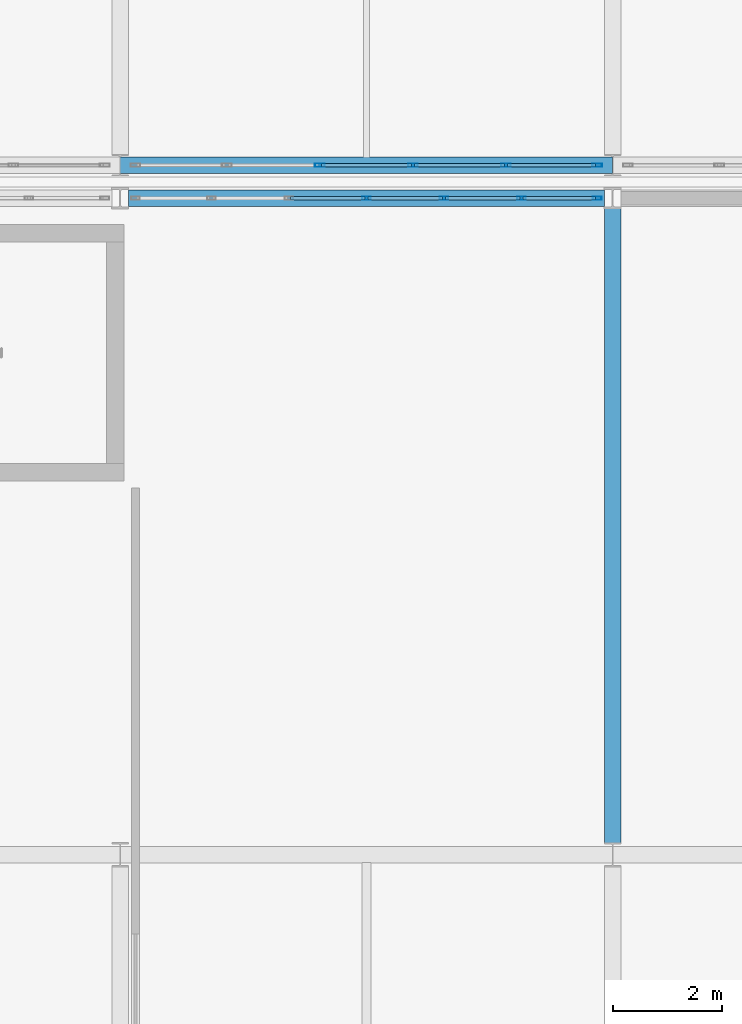
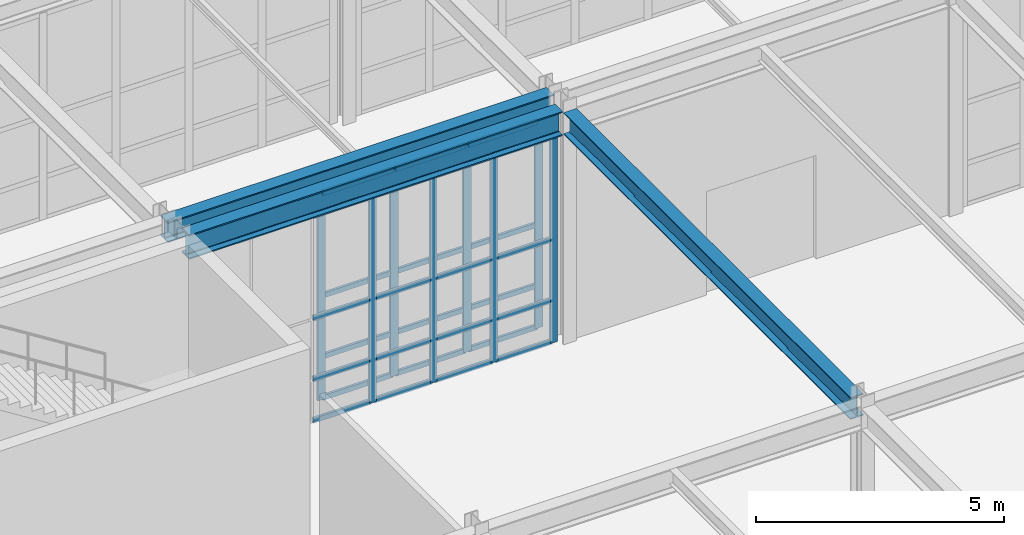
# One storey, part 41 of 146: 36 members, 3 beams, 2 elements without a shape of their own.
"""IFC4 building model written with IfcOpenShell, lengths in metres."""

from ifc_helpers import new_model, si_unit, direction, frame, origin, origin_2d, place, context, subcontext, project, spatial, hollow_rectangle, i_section, extrude, material, material_profile, profile_set, type_object, element, aggregate, save


model = new_model("IFC4")

# Units and contexts
model_context = context("Model", 3, precision=1e-05, world=origin(), true_north=direction((0.0, 1.0)))
body_context = subcontext(model_context, "Body", "Model", "MODEL_VIEW")
ifc_project = project(units=[si_unit("LENGTHUNIT", "METRE"), si_unit("AREAUNIT", "SQUARE_METRE"), si_unit("VOLUMEUNIT", "CUBIC_METRE"), si_unit("PLANEANGLEUNIT", "RADIAN"), si_unit("MASSUNIT", "GRAM", prefix="KILO")], contexts=[model_context])

# Site, building, storey
site_placement = place(None, origin())
site = spatial("IfcSite", under=ifc_project, at=site_placement, CompositionType="ELEMENT")
building_placement = place(site_placement, origin())
building = spatial("IfcBuilding", under=site, at=building_placement, Name="Kaldris Quays Convention Centre", CompositionType="ELEMENT")
storey_placement = place(building_placement, origin())
storey = spatial("IfcBuildingStorey", under=building, at=storey_placement, Name="L00", CompositionType="ELEMENT", Elevation=0.0)

# Curtain wall, members
ifc_material_1 = material(Name="Anodized aluminium AW-6060 and triple glazing", Category="aluminium")
curtain_wall_type_1 = type_object("IfcCurtainWallType", Name="UNITISED CURTAIN WALL CW01", PredefinedType="NOTDEFINED", material=ifc_material_1)
curtain_wall_1_placement = place(storey_placement, origin())
curtain_wall_1 = element("IfcCurtainWall", 1, at=curtain_wall_1_placement, inside=storey, type_object=curtain_wall_type_1, Name="L00 Unitised Curtain Wall CW01 48", PredefinedType="NOTDEFINED")
ifc_material_2 = material(Name="Anodized aluminium AW-6060", Category="aluminium")
ifc_material_profile_1 = material_profile(ifc_material_2, hollow_rectangle(XDim=0.06005859375, YDim=0.159912109375, WallThickness=0.00390625, at=origin_2d()), Name="RHS 160x60x4")
ifc_profile_set_1 = profile_set([ifc_material_profile_1], Name="Anodized aluminium AW-6060")
member_type_1 = type_object("IfcMemberType", Name="CURTAIN MULLION CWM1", PredefinedType="MULLION", material=ifc_profile_set_1)
member_1_placement = place(storey_placement, frame((60.5, 46.0, 0.0), z_axis=(0.0, 0.0, 1.0), x_axis=(0.0, 1.0, 0.0)))
member_1 = element("IfcMember", 2, at=member_1_placement, type_object=member_type_1, Name="CW01 mullion 4", PredefinedType="MULLION", context=body_context, shape_type="SweptSolid", body=[
    extrude(hollow_rectangle(XDim=0.06005859375, YDim=0.159912109375, WallThickness=0.00390625, at=origin_2d()), origin(), (0.0, 0.0, 1.0), 5.097900390625),
])
member_2_placement = place(storey_placement, frame((61.916748046875, 46.0, 0.0), z_axis=(0.0, 0.0, 1.0), x_axis=(0.0, 1.0, 0.0)))
member_2 = element("IfcMember", 3, at=member_2_placement, type_object=member_type_1, Name="CW01 mullion 5", PredefinedType="MULLION", context=body_context, shape_type="SweptSolid", body=[
    extrude(hollow_rectangle(XDim=0.06005859375, YDim=0.159912109375, WallThickness=0.00390625, at=origin_2d()), origin(), (0.0, 0.0, 1.0), 5.097900390625),
])
member_3_placement = place(storey_placement, frame((63.333251953125, 46.0, 0.0), z_axis=(0.0, 0.0, 1.0), x_axis=(0.0, 1.0, 0.0)))
member_3 = element("IfcMember", 4, at=member_3_placement, type_object=member_type_1, Name="CW01 mullion 6", PredefinedType="MULLION", context=body_context, shape_type="SweptSolid", body=[
    extrude(hollow_rectangle(XDim=0.06005859375, YDim=0.159912109375, WallThickness=0.00390625, at=origin_2d()), origin(), (0.0, 0.0, 1.0), 5.097900390625),
])
member_4_placement = place(storey_placement, frame((64.719970703125, 46.0, 0.0), z_axis=(0.0, 0.0, 1.0), x_axis=(0.0, 1.0, 0.0)))
member_4 = element("IfcMember", 5, at=member_4_placement, type_object=member_type_1, Name="CW01 mullion 7", PredefinedType="MULLION", context=body_context, shape_type="SweptSolid", body=[
    extrude(hollow_rectangle(XDim=0.06005859375, YDim=0.159912109375, WallThickness=0.00390625, at=origin_2d()), origin(), (0.0, 0.0, 1.0), 5.097900390625),
])

curtain_wall_type_2 = type_object("IfcCurtainWallType", Name="UNITISED CURTAIN WALL CW02", PredefinedType="NOTDEFINED", material=ifc_material_1)
curtain_wall_2_placement = place(storey_placement, origin())
curtain_wall_2 = element("IfcCurtainWall", 6, at=curtain_wall_2_placement, inside=storey, type_object=curtain_wall_type_2, Name="L00 Unitised Curtain Wall CW02 84", PredefinedType="NOTDEFINED")
ifc_material_profile_2 = material_profile(ifc_material_2, hollow_rectangle(XDim=0.06005859375, YDim=0.179931640625, WallThickness=0.0048828125, at=origin_2d()), Name="RHS 180x60x5")
ifc_profile_set_2 = profile_set([ifc_material_profile_2], Name="Anodized aluminium AW-6060")
member_type_2 = type_object("IfcMemberType", Name="CURTAIN MULLION CWM2", PredefinedType="MULLION", material=ifc_profile_set_2)
member_5_placement = place(storey_placement, frame((59.64990234375, 46.60009765625, 0.0), z_axis=(0.0, 0.0, 1.0), x_axis=(0.0, 1.0, 0.0)))
member_5 = element("IfcMember", 7, at=member_5_placement, type_object=member_type_2, Name="CW02 mullion 3", PredefinedType="MULLION", context=body_context, shape_type="SweptSolid", body=[
    extrude(hollow_rectangle(XDim=0.06005859375, YDim=0.179931640625, WallThickness=0.0048828125, at=origin_2d()), origin(), (0.0, 0.0, 1.0), 5.10009765625),
])
member_6_placement = place(storey_placement, frame((61.35009765625, 46.60009765625, 0.0), z_axis=(0.0, 0.0, 1.0), x_axis=(0.0, 1.0, 0.0)))
member_6 = element("IfcMember", 8, at=member_6_placement, type_object=member_type_2, Name="CW02 mullion 4", PredefinedType="MULLION", context=body_context, shape_type="SweptSolid", body=[
    extrude(hollow_rectangle(XDim=0.06005859375, YDim=0.179931640625, WallThickness=0.0048828125, at=origin_2d()), origin(), (0.0, 0.0, 1.0), 5.10009765625),
])
member_7_placement = place(storey_placement, frame((63.050048828125, 46.60009765625, 0.0), z_axis=(0.0, 0.0, 1.0), x_axis=(0.0, 1.0, 0.0)))
member_7 = element("IfcMember", 9, at=member_7_placement, type_object=member_type_2, Name="CW02 mullion 5", PredefinedType="MULLION", context=body_context, shape_type="SweptSolid", body=[
    extrude(hollow_rectangle(XDim=0.06005859375, YDim=0.179931640625, WallThickness=0.0048828125, at=origin_2d()), origin(), (0.0, 0.0, 1.0), 5.10009765625),
])
member_8_placement = place(storey_placement, frame((64.719970703125, 46.60009765625, 0.0), z_axis=(0.0, 0.0, 1.0), x_axis=(0.0, 1.0, 0.0)))
member_8 = element("IfcMember", 10, at=member_8_placement, type_object=member_type_2, Name="CW02 mullion 6", PredefinedType="MULLION", context=body_context, shape_type="SweptSolid", body=[
    extrude(hollow_rectangle(XDim=0.06005859375, YDim=0.179931640625, WallThickness=0.0048828125, at=origin_2d()), origin(), (0.0, 0.0, 1.0), 5.10009765625),
])

# Member
ifc_material_profile_3 = material_profile(ifc_material_2, hollow_rectangle(XDim=0.06005859375, YDim=0.1201171875, WallThickness=0.00390625, at=origin_2d()), Name="RHS 120x60x4")
ifc_profile_set_3 = profile_set([ifc_material_profile_3], Name="Anodized aluminium AW-6060")
member_type_3 = type_object("IfcMemberType", Name="CURTAIN TRANSOM CWT1", PredefinedType="USERDEFINED", material=ifc_profile_set_3)
member_9_placement = place(storey_placement, frame((59.11328125, 46.0, 0.030029296875), z_axis=(1.0, 0.0, 0.0), x_axis=(0.0, 1.0, 0.0)))
member_9 = element("IfcMember", 11, at=member_9_placement, type_object=member_type_3, Name="CW01 transom 3.1", ObjectType="TRANSOM", PredefinedType="USERDEFINED", context=body_context, shape_type="SweptSolid", body=[
    extrude(hollow_rectangle(XDim=0.06005859375, YDim=0.1201171875, WallThickness=0.00390625, at=origin_2d()), origin(), (0.0, 0.0, 1.0), 1.356689453125),
])

member_10_placement = place(storey_placement, frame((59.11328125, 46.0, 1.050048828125), z_axis=(1.0, 0.0, 0.0), x_axis=(0.0, 1.0, 0.0)))
member_10 = element("IfcMember", 12, at=member_10_placement, type_object=member_type_3, Name="CW01 transom 3.2", ObjectType="TRANSOM", PredefinedType="USERDEFINED", context=body_context, shape_type="SweptSolid", body=[
    extrude(hollow_rectangle(XDim=0.06005859375, YDim=0.1201171875, WallThickness=0.00390625, at=origin_2d()), origin(), (0.0, 0.0, 1.0), 1.356689453125),
])

member_11_placement = place(storey_placement, frame((59.11328125, 46.0, 2.549072265625), z_axis=(1.0, 0.0, 0.0), x_axis=(0.0, 1.0, 0.0)))
member_11 = element("IfcMember", 13, at=member_11_placement, type_object=member_type_3, Name="CW01 transom 3.3", ObjectType="TRANSOM", PredefinedType="USERDEFINED", context=body_context, shape_type="SweptSolid", body=[
    extrude(hollow_rectangle(XDim=0.06005859375, YDim=0.1201171875, WallThickness=0.00390625, at=origin_2d()), origin(), (0.0, 0.0, 1.0), 1.356689453125),
])

member_12_placement = place(storey_placement, frame((59.11328125, 46.0, 5.068115234375), z_axis=(1.0, 0.0, 0.0), x_axis=(0.0, 1.0, 0.0)))
member_12 = element("IfcMember", 14, at=member_12_placement, type_object=member_type_3, Name="CW01 transom 3.4", ObjectType="TRANSOM", PredefinedType="USERDEFINED", context=body_context, shape_type="SweptSolid", body=[
    extrude(hollow_rectangle(XDim=0.06005859375, YDim=0.1201171875, WallThickness=0.00390625, at=origin_2d()), origin(), (0.0, 0.0, 1.0), 1.356689453125),
])

member_13_placement = place(storey_placement, frame((60.530029296875, 46.0, 0.030029296875), z_axis=(1.0, 0.0, 0.0), x_axis=(0.0, 1.0, 0.0)))
member_13 = element("IfcMember", 15, at=member_13_placement, type_object=member_type_3, Name="CW01 transom 4.1", ObjectType="TRANSOM", PredefinedType="USERDEFINED", context=body_context, shape_type="SweptSolid", body=[
    extrude(hollow_rectangle(XDim=0.06005859375, YDim=0.1201171875, WallThickness=0.00390625, at=origin_2d()), origin(), (0.0, 0.0, 1.0), 1.356689453125),
])

member_14_placement = place(storey_placement, frame((60.530029296875, 46.0, 1.050048828125), z_axis=(1.0, 0.0, 0.0), x_axis=(0.0, 1.0, 0.0)))
member_14 = element("IfcMember", 16, at=member_14_placement, type_object=member_type_3, Name="CW01 transom 4.2", ObjectType="TRANSOM", PredefinedType="USERDEFINED", context=body_context, shape_type="SweptSolid", body=[
    extrude(hollow_rectangle(XDim=0.06005859375, YDim=0.1201171875, WallThickness=0.00390625, at=origin_2d()), origin(), (0.0, 0.0, 1.0), 1.356689453125),
])

member_15_placement = place(storey_placement, frame((60.530029296875, 46.0, 2.549072265625), z_axis=(1.0, 0.0, 0.0), x_axis=(0.0, 1.0, 0.0)))
member_15 = element("IfcMember", 17, at=member_15_placement, type_object=member_type_3, Name="CW01 transom 4.3", ObjectType="TRANSOM", PredefinedType="USERDEFINED", context=body_context, shape_type="SweptSolid", body=[
    extrude(hollow_rectangle(XDim=0.06005859375, YDim=0.1201171875, WallThickness=0.00390625, at=origin_2d()), origin(), (0.0, 0.0, 1.0), 1.356689453125),
])

member_16_placement = place(storey_placement, frame((60.530029296875, 46.0, 5.068115234375), z_axis=(1.0, 0.0, 0.0), x_axis=(0.0, 1.0, 0.0)))
member_16 = element("IfcMember", 18, at=member_16_placement, type_object=member_type_3, Name="CW01 transom 4.4", ObjectType="TRANSOM", PredefinedType="USERDEFINED", context=body_context, shape_type="SweptSolid", body=[
    extrude(hollow_rectangle(XDim=0.06005859375, YDim=0.1201171875, WallThickness=0.00390625, at=origin_2d()), origin(), (0.0, 0.0, 1.0), 1.356689453125),
])

member_17_placement = place(storey_placement, frame((61.94677734375, 46.0, 0.030029296875), z_axis=(1.0, 0.0, 0.0), x_axis=(0.0, 1.0, 0.0)))
member_17 = element("IfcMember", 19, at=member_17_placement, type_object=member_type_3, Name="CW01 transom 5.1", ObjectType="TRANSOM", PredefinedType="USERDEFINED", context=body_context, shape_type="SweptSolid", body=[
    extrude(hollow_rectangle(XDim=0.06005859375, YDim=0.1201171875, WallThickness=0.00390625, at=origin_2d()), origin(), (0.0, 0.0, 1.0), 1.3564453125),
])

member_18_placement = place(storey_placement, frame((61.94677734375, 46.0, 1.050048828125), z_axis=(1.0, 0.0, 0.0), x_axis=(0.0, 1.0, 0.0)))
member_18 = element("IfcMember", 20, at=member_18_placement, type_object=member_type_3, Name="CW01 transom 5.2", ObjectType="TRANSOM", PredefinedType="USERDEFINED", context=body_context, shape_type="SweptSolid", body=[
    extrude(hollow_rectangle(XDim=0.06005859375, YDim=0.1201171875, WallThickness=0.00390625, at=origin_2d()), origin(), (0.0, 0.0, 1.0), 1.3564453125),
])

member_19_placement = place(storey_placement, frame((61.94677734375, 46.0, 2.549072265625), z_axis=(1.0, 0.0, 0.0), x_axis=(0.0, 1.0, 0.0)))
member_19 = element("IfcMember", 21, at=member_19_placement, type_object=member_type_3, Name="CW01 transom 5.3", ObjectType="TRANSOM", PredefinedType="USERDEFINED", context=body_context, shape_type="SweptSolid", body=[
    extrude(hollow_rectangle(XDim=0.06005859375, YDim=0.1201171875, WallThickness=0.00390625, at=origin_2d()), origin(), (0.0, 0.0, 1.0), 1.3564453125),
])

member_20_placement = place(storey_placement, frame((61.94677734375, 46.0, 5.068115234375), z_axis=(1.0, 0.0, 0.0), x_axis=(0.0, 1.0, 0.0)))
member_20 = element("IfcMember", 22, at=member_20_placement, type_object=member_type_3, Name="CW01 transom 5.4", ObjectType="TRANSOM", PredefinedType="USERDEFINED", context=body_context, shape_type="SweptSolid", body=[
    extrude(hollow_rectangle(XDim=0.06005859375, YDim=0.1201171875, WallThickness=0.00390625, at=origin_2d()), origin(), (0.0, 0.0, 1.0), 1.3564453125),
])

member_21_placement = place(storey_placement, frame((63.36328125, 46.0, 0.030029296875), z_axis=(1.0, 0.0, 0.0), x_axis=(0.0, 1.0, 0.0)))
member_21 = element("IfcMember", 23, at=member_21_placement, type_object=member_type_3, Name="CW01 transom 6.1", ObjectType="TRANSOM", PredefinedType="USERDEFINED", context=body_context, shape_type="SweptSolid", body=[
    extrude(hollow_rectangle(XDim=0.06005859375, YDim=0.1201171875, WallThickness=0.00390625, at=origin_2d()), origin(), (0.0, 0.0, 1.0), 1.32666015625),
])

member_22_placement = place(storey_placement, frame((63.36328125, 46.0, 1.050048828125), z_axis=(1.0, 0.0, 0.0), x_axis=(0.0, 1.0, 0.0)))
member_22 = element("IfcMember", 24, at=member_22_placement, type_object=member_type_3, Name="CW01 transom 6.2", ObjectType="TRANSOM", PredefinedType="USERDEFINED", context=body_context, shape_type="SweptSolid", body=[
    extrude(hollow_rectangle(XDim=0.06005859375, YDim=0.1201171875, WallThickness=0.00390625, at=origin_2d()), origin(), (0.0, 0.0, 1.0), 1.32666015625),
])

member_23_placement = place(storey_placement, frame((63.36328125, 46.0, 2.549072265625), z_axis=(1.0, 0.0, 0.0), x_axis=(0.0, 1.0, 0.0)))
member_23 = element("IfcMember", 25, at=member_23_placement, type_object=member_type_3, Name="CW01 transom 6.3", ObjectType="TRANSOM", PredefinedType="USERDEFINED", context=body_context, shape_type="SweptSolid", body=[
    extrude(hollow_rectangle(XDim=0.06005859375, YDim=0.1201171875, WallThickness=0.00390625, at=origin_2d()), origin(), (0.0, 0.0, 1.0), 1.32666015625),
])

member_24_placement = place(storey_placement, frame((63.36328125, 46.0, 5.068115234375), z_axis=(1.0, 0.0, 0.0), x_axis=(0.0, 1.0, 0.0)))
member_24 = element("IfcMember", 26, at=member_24_placement, type_object=member_type_3, Name="CW01 transom 6.4", ObjectType="TRANSOM", PredefinedType="USERDEFINED", context=body_context, shape_type="SweptSolid", body=[
    extrude(hollow_rectangle(XDim=0.06005859375, YDim=0.1201171875, WallThickness=0.00390625, at=origin_2d()), origin(), (0.0, 0.0, 1.0), 1.32666015625),
])

aggregate(curtain_wall_1, [member_1, member_2, member_3, member_4, member_9, member_10, member_11, member_12, member_13, member_14, member_15, member_16, member_17, member_18, member_19, member_20, member_21, member_22, member_23, member_24])

member_25_placement = place(storey_placement, frame((59.679931640625, 46.60009765625, 0.030029296875), z_axis=(1.0, 0.0, 0.0), x_axis=(0.0, 1.0, 0.0)))
member_25 = element("IfcMember", 27, at=member_25_placement, type_object=member_type_3, Name="CW02 transom 3.1", ObjectType="TRANSOM", PredefinedType="USERDEFINED", context=body_context, shape_type="SweptSolid", body=[
    extrude(hollow_rectangle(XDim=0.06005859375, YDim=0.1201171875, WallThickness=0.00390625, at=origin_2d()), origin(), (0.0, 0.0, 1.0), 1.64013671875),
])

member_26_placement = place(storey_placement, frame((59.679931640625, 46.60009765625, 1.050048828125), z_axis=(1.0, 0.0, 0.0), x_axis=(0.0, 1.0, 0.0)))
member_26 = element("IfcMember", 28, at=member_26_placement, type_object=member_type_3, Name="CW02 transom 3.2", ObjectType="TRANSOM", PredefinedType="USERDEFINED", context=body_context, shape_type="SweptSolid", body=[
    extrude(hollow_rectangle(XDim=0.06005859375, YDim=0.1201171875, WallThickness=0.00390625, at=origin_2d()), origin(), (0.0, 0.0, 1.0), 1.64013671875),
])

member_27_placement = place(storey_placement, frame((59.679931640625, 46.60009765625, 2.550048828125), z_axis=(1.0, 0.0, 0.0), x_axis=(0.0, 1.0, 0.0)))
member_27 = element("IfcMember", 29, at=member_27_placement, type_object=member_type_3, Name="CW02 transom 3.3", ObjectType="TRANSOM", PredefinedType="USERDEFINED", context=body_context, shape_type="SweptSolid", body=[
    extrude(hollow_rectangle(XDim=0.06005859375, YDim=0.1201171875, WallThickness=0.00390625, at=origin_2d()), origin(), (0.0, 0.0, 1.0), 1.64013671875),
])

member_28_placement = place(storey_placement, frame((59.679931640625, 46.60009765625, 5.070068359375), z_axis=(1.0, 0.0, 0.0), x_axis=(0.0, 1.0, 0.0)))
member_28 = element("IfcMember", 30, at=member_28_placement, type_object=member_type_3, Name="CW02 transom 3.4", ObjectType="TRANSOM", PredefinedType="USERDEFINED", context=body_context, shape_type="SweptSolid", body=[
    extrude(hollow_rectangle(XDim=0.06005859375, YDim=0.1201171875, WallThickness=0.00390625, at=origin_2d()), origin(), (0.0, 0.0, 1.0), 1.64013671875),
])

member_29_placement = place(storey_placement, frame((61.3798828125, 46.60009765625, 0.030029296875), z_axis=(1.0, 0.0, 0.0), x_axis=(0.0, 1.0, 0.0)))
member_29 = element("IfcMember", 31, at=member_29_placement, type_object=member_type_3, Name="CW02 transom 4.1", ObjectType="TRANSOM", PredefinedType="USERDEFINED", context=body_context, shape_type="SweptSolid", body=[
    extrude(hollow_rectangle(XDim=0.06005859375, YDim=0.1201171875, WallThickness=0.00390625, at=origin_2d()), origin(), (0.0, 0.0, 1.0), 1.64013671875),
])

member_30_placement = place(storey_placement, frame((61.3798828125, 46.60009765625, 1.050048828125), z_axis=(1.0, 0.0, 0.0), x_axis=(0.0, 1.0, 0.0)))
member_30 = element("IfcMember", 32, at=member_30_placement, type_object=member_type_3, Name="CW02 transom 4.2", ObjectType="TRANSOM", PredefinedType="USERDEFINED", context=body_context, shape_type="SweptSolid", body=[
    extrude(hollow_rectangle(XDim=0.06005859375, YDim=0.1201171875, WallThickness=0.00390625, at=origin_2d()), origin(), (0.0, 0.0, 1.0), 1.64013671875),
])

member_31_placement = place(storey_placement, frame((61.3798828125, 46.60009765625, 2.550048828125), z_axis=(1.0, 0.0, 0.0), x_axis=(0.0, 1.0, 0.0)))
member_31 = element("IfcMember", 33, at=member_31_placement, type_object=member_type_3, Name="CW02 transom 4.3", ObjectType="TRANSOM", PredefinedType="USERDEFINED", context=body_context, shape_type="SweptSolid", body=[
    extrude(hollow_rectangle(XDim=0.06005859375, YDim=0.1201171875, WallThickness=0.00390625, at=origin_2d()), origin(), (0.0, 0.0, 1.0), 1.64013671875),
])

member_32_placement = place(storey_placement, frame((61.3798828125, 46.60009765625, 5.070068359375), z_axis=(1.0, 0.0, 0.0), x_axis=(0.0, 1.0, 0.0)))
member_32 = element("IfcMember", 34, at=member_32_placement, type_object=member_type_3, Name="CW02 transom 4.4", ObjectType="TRANSOM", PredefinedType="USERDEFINED", context=body_context, shape_type="SweptSolid", body=[
    extrude(hollow_rectangle(XDim=0.06005859375, YDim=0.1201171875, WallThickness=0.00390625, at=origin_2d()), origin(), (0.0, 0.0, 1.0), 1.64013671875),
])

member_33_placement = place(storey_placement, frame((63.080078125, 46.60009765625, 0.030029296875), z_axis=(1.0, 0.0, 0.0), x_axis=(0.0, 1.0, 0.0)))
member_33 = element("IfcMember", 35, at=member_33_placement, type_object=member_type_3, Name="CW02 transom 5.1", ObjectType="TRANSOM", PredefinedType="USERDEFINED", context=body_context, shape_type="SweptSolid", body=[
    extrude(hollow_rectangle(XDim=0.06005859375, YDim=0.1201171875, WallThickness=0.00390625, at=origin_2d()), origin(), (0.0, 0.0, 1.0), 1.60986328125),
])

member_34_placement = place(storey_placement, frame((63.080078125, 46.60009765625, 1.050048828125), z_axis=(1.0, 0.0, 0.0), x_axis=(0.0, 1.0, 0.0)))
member_34 = element("IfcMember", 36, at=member_34_placement, type_object=member_type_3, Name="CW02 transom 5.2", ObjectType="TRANSOM", PredefinedType="USERDEFINED", context=body_context, shape_type="SweptSolid", body=[
    extrude(hollow_rectangle(XDim=0.06005859375, YDim=0.1201171875, WallThickness=0.00390625, at=origin_2d()), origin(), (0.0, 0.0, 1.0), 1.60986328125),
])

member_35_placement = place(storey_placement, frame((63.080078125, 46.60009765625, 2.550048828125), z_axis=(1.0, 0.0, 0.0), x_axis=(0.0, 1.0, 0.0)))
member_35 = element("IfcMember", 37, at=member_35_placement, type_object=member_type_3, Name="CW02 transom 5.3", ObjectType="TRANSOM", PredefinedType="USERDEFINED", context=body_context, shape_type="SweptSolid", body=[
    extrude(hollow_rectangle(XDim=0.06005859375, YDim=0.1201171875, WallThickness=0.00390625, at=origin_2d()), origin(), (0.0, 0.0, 1.0), 1.60986328125),
])

member_36_placement = place(storey_placement, frame((63.080078125, 46.60009765625, 5.070068359375), z_axis=(1.0, 0.0, 0.0), x_axis=(0.0, 1.0, 0.0)))
member_36 = element("IfcMember", 38, at=member_36_placement, type_object=member_type_3, Name="CW02 transom 5.4", ObjectType="TRANSOM", PredefinedType="USERDEFINED", context=body_context, shape_type="SweptSolid", body=[
    extrude(hollow_rectangle(XDim=0.06005859375, YDim=0.1201171875, WallThickness=0.00390625, at=origin_2d()), origin(), (0.0, 0.0, 1.0), 1.60986328125),
])

aggregate(curtain_wall_2, [member_5, member_6, member_7, member_8, member_25, member_26, member_27, member_28, member_29, member_30, member_31, member_32, member_33, member_34, member_35, member_36])

# Beams
ifc_material_3 = material(Name="Steel S355J2", Category="steel")
ifc_material_profile_4 = material_profile(ifc_material_3, i_section(OverallWidth=0.300048828125, OverallDepth=0.60009765625, WebThickness=0.015380859375, FlangeThickness=0.030029296875, FilletRadius=0.027099609375, at=origin_2d()), Name="HEB 600")
ifc_profile_set_4 = profile_set([ifc_material_profile_4], Name="Steel S355J2")
beam_type_1 = type_object("IfcBeamType", Name="STRUCTURAL BEAM BM05", PredefinedType="BEAM", material=ifc_profile_set_4)
beam_1_placement = place(storey_placement, frame((56.14794921875, 46.0, 5.423095703125), z_axis=(1.0, 0.0, 0.0), x_axis=(0.0, 1.0, 0.0)))
element("IfcBeam", 39, at=beam_1_placement, inside=storey, type_object=beam_type_1, Name="L00 Girder BM05 24", PredefinedType="BEAM", context=body_context, shape_type="SweptSolid", body=[
    extrude(i_section(OverallWidth=0.300048828125, OverallDepth=0.60009765625, WebThickness=0.015380859375, FlangeThickness=0.030029296875, FilletRadius=0.027099609375, at=origin_2d()), origin(), (0.0, 0.0, 1.0), 8.7041015625),
])
ifc_material_profile_5 = material_profile(ifc_material_3, i_section(OverallWidth=0.300048828125, OverallDepth=0.5, WebThickness=0.014404296875, FlangeThickness=0.028076171875, FilletRadius=0.027099609375, at=origin_2d()), Name="HEB 500")
ifc_profile_set_5 = profile_set([ifc_material_profile_5], Name="Steel S355J2")
beam_type_2 = type_object("IfcBeamType", Name="STRUCTURAL BEAM BM06", PredefinedType="BEAM", material=ifc_profile_set_5)
beam_2_placement = place(storey_placement, frame((55.99951171875, 46.60009765625, 5.472900390625), z_axis=(1.0, 0.0, 0.0), x_axis=(0.0, 1.0, 0.0)))
element("IfcBeam", 40, at=beam_2_placement, inside=storey, type_object=beam_type_2, Name="L00 Girder BM06 4", PredefinedType="BEAM", context=body_context, shape_type="SweptSolid", body=[
    extrude(i_section(OverallWidth=0.300048828125, OverallDepth=0.5, WebThickness=0.014404296875, FlangeThickness=0.028076171875, FilletRadius=0.027099609375, at=origin_2d()), origin(), (0.0, 0.0, 1.0), 9.0009765625),
])
ifc_material_profile_6 = material_profile(ifc_material_3, i_section(OverallWidth=0.300048828125, OverallDepth=0.5400390625, WebThickness=0.012451171875, FlangeThickness=0.02392578125, FilletRadius=0.027099609375, at=origin_2d()), Name="HEA 550")
ifc_profile_set_6 = profile_set([ifc_material_profile_6], Name="Steel S355J2")
beam_type_3 = type_object("IfcBeamType", Name="STRUCTURAL BEAM BM13", PredefinedType="BEAM", material=ifc_profile_set_6)
beam_3_placement = place(storey_placement, frame((65.0, 34.218994140625, 5.452880859375), z_axis=(0.0, 1.0, 0.0), x_axis=(-1.0, 0.0, 0.0)))
element("IfcBeam", 41, at=beam_3_placement, inside=storey, type_object=beam_type_3, Name="L00 Girder BM13 41", PredefinedType="BEAM", context=body_context, shape_type="SweptSolid", body=[
    extrude(i_section(OverallWidth=0.300048828125, OverallDepth=0.5400390625, WebThickness=0.012451171875, FlangeThickness=0.02392578125, FilletRadius=0.027099609375, at=origin_2d()), origin(), (0.0, 0.0, 1.0), 11.589599609375),
])

save(model, "model.ifc")
